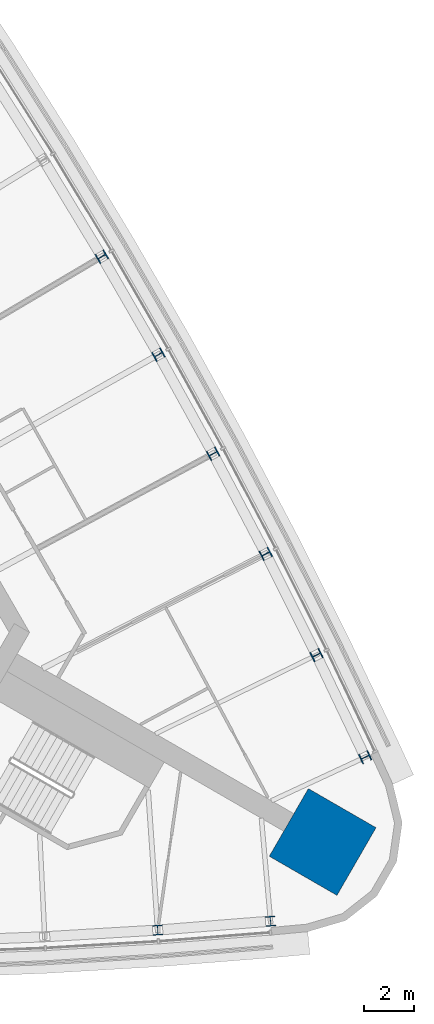
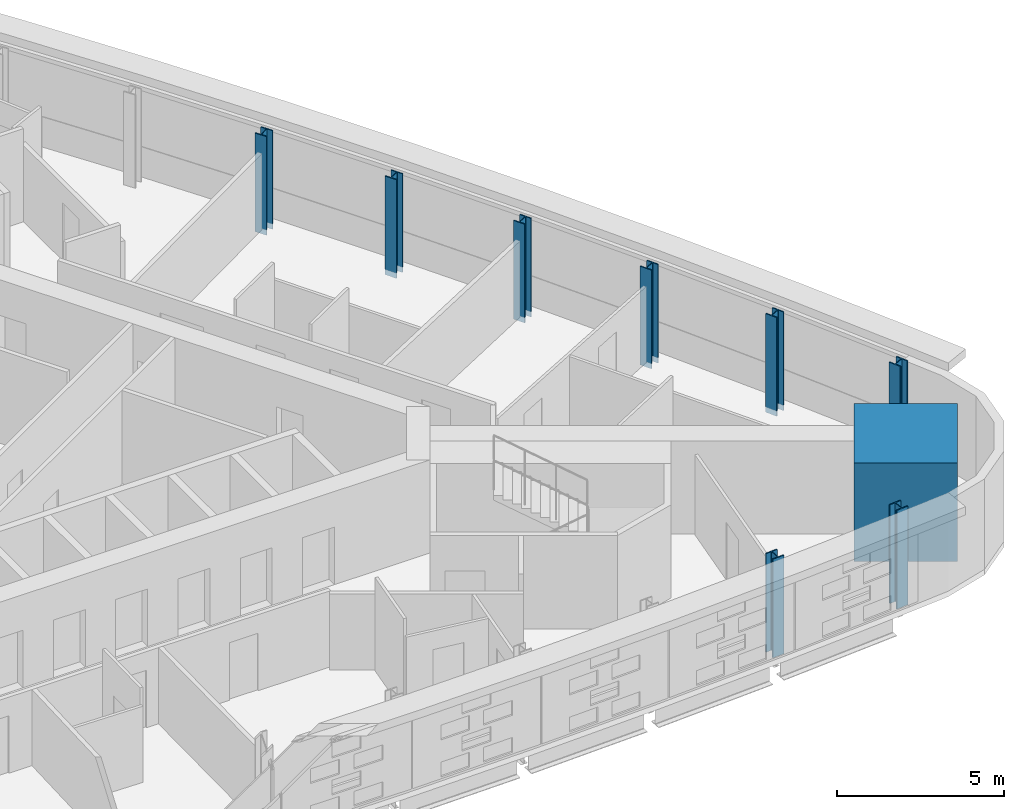
# One storey, part 2 of 16: 9 columns.
"""IFC4 building model written with IfcOpenShell, lengths in metres."""

from ifc_helpers import new_model, si_unit, direction, frame, origin, origin_2d, place, context, subcontext, project, spatial, rectangle, i_section, extrude, material, material_profile, profile_set, type_object, element, save


model = new_model("IFC4")

# Units and contexts
model_context = context("Model", 3, precision=1e-05, world=origin(), true_north=direction((0.0, 1.0)))
body_context = subcontext(model_context, "Body", "Model", "MODEL_VIEW")
ifc_project = project(units=[si_unit("LENGTHUNIT", "METRE"), si_unit("AREAUNIT", "SQUARE_METRE"), si_unit("VOLUMEUNIT", "CUBIC_METRE"), si_unit("PLANEANGLEUNIT", "RADIAN"), si_unit("MASSUNIT", "GRAM", prefix="KILO")], contexts=[model_context])

# Site, building, storey
site_placement = place(None, origin())
site = spatial("IfcSite", under=ifc_project, at=site_placement, CompositionType="ELEMENT")
building_placement = place(site_placement, origin())
building = spatial("IfcBuilding", under=site, at=building_placement, Name="Noor Cloister Tower", CompositionType="ELEMENT")
storey_placement = place(building_placement, frame((0.0, 0.0, 91.5)))
storey = spatial("IfcBuildingStorey", under=building, at=storey_placement, Name="L23", CompositionType="ELEMENT", Elevation=91.5)

# Columns
ifc_material_1 = material(Name="Steel ASTM A992 Gr 50", Category="steel")
ifc_material_profile_1 = material_profile(ifc_material_1, i_section(OverallWidth=0.40087890625, OverallDepth=0.39892578125, WebThickness=0.02490234375, FlangeThickness=0.03955078125, FilletRadius=0.015380859375, at=origin_2d()), Name="W360x314")
ifc_profile_set_1 = profile_set([ifc_material_profile_1], Name="Steel ASTM A992 Gr 50")
column_type_1 = type_object("IfcColumnType", Name="Column W360x314", PredefinedType="COLUMN", material=ifc_profile_set_1)
for number, where, z_axis, x_axis, name in (
    (1, (15.69970703125, -16.33642578125, -0.199951171875), (0.0, 0.0, 1.0), (0.997627922075, 0.06883697478, 0.0), "Column S 09 L23"),
    (2, (20.1748046875, -15.9833984375, -0.199951171875), (0.0, 0.0, 1.0), (0.99607982273, 0.088458955177, 0.0), "Column S 10 L23"),
    (3, (23.929443359375, -9.480224609375, -0.199951171875), (0.0, 0.0, 1.0), (-0.421432208989, 0.906859908269, 0.0), "Column NE 01 L23"),
    (4, (21.99755859375, -5.427978515625, -0.199951171875), (0.0, 0.0, 1.0), (-0.439199392158, 0.898389611432, 0.0), "Column NE 02 L23"),
    (5, (19.986328125, -1.414794921875, -0.199951171875), (0.0, 0.0, 1.0), (-0.456796421257, 0.889571261635, 0.0), "Column NE 03 L23"),
    (6, (17.896728515625, 2.558349609375, -0.199951171875), (0.0, 0.0, 1.0), (-0.474216478854, 0.880408275281, 0.0), "Column NE 04 L23"),
    (7, (15.72900390625, 6.489501953125, -0.199951171875), (0.0, 0.0, 1.0), (-0.491452816121, 0.870904202267, 0.0), "Column NE 05 L23"),
    (8, (13.484375, 10.376953125, -0.199951171875), (0.0, 0.0, 1.0), (-0.508498755365, 0.861062724656, 0.0), "Column NE 06 L23"),
):
    element("IfcColumn", number, at=place(storey_placement, frame(where, z_axis=z_axis, x_axis=x_axis)), inside=storey, type_object=column_type_1, Name=name, PredefinedType="COLUMN", context=body_context, shape_type="SweptSolid", body=[
        extrude(i_section(OverallWidth=0.40087890625, OverallDepth=0.39892578125, WebThickness=0.02490234375, FlangeThickness=0.03955078125, FilletRadius=0.015380859375, at=origin_2d()), origin(), (0.0, 0.0, 1.0), 3.599853515625),
    ])
ifc_material_2 = material(Name="Concrete C80/95", Category="concrete")
ifc_material_profile_2 = material_profile(ifc_material_2, rectangle(XDim=3.10009765625, YDim=3.10009765625, at=origin_2d()), Name="RC 3100x3100")
ifc_profile_set_2 = profile_set([ifc_material_profile_2], Name="Concrete C80/95")
column_type_2 = type_object("IfcColumnType", Name="Corner pier 3100 x 3100 C80/95", PredefinedType="COLUMN", material=ifc_profile_set_2)
column_placement = place(storey_placement, frame((22.242919921875, -12.842041015625, -0.199951171875), z_axis=(0.0, 0.0, 1.0), x_axis=(0.866025403784, -0.5, 0.0)))
element("IfcColumn", 9, at=column_placement, inside=storey, type_object=column_type_2, Name="Corner pier SE L23", PredefinedType="COLUMN", context=body_context, shape_type="SweptSolid", body=[
    extrude(rectangle(XDim=3.10009765625, YDim=3.10009765625, at=origin_2d()), origin(), (0.0, 0.0, 1.0), 3.599853515625),
])

save(model, "model.ifc")
